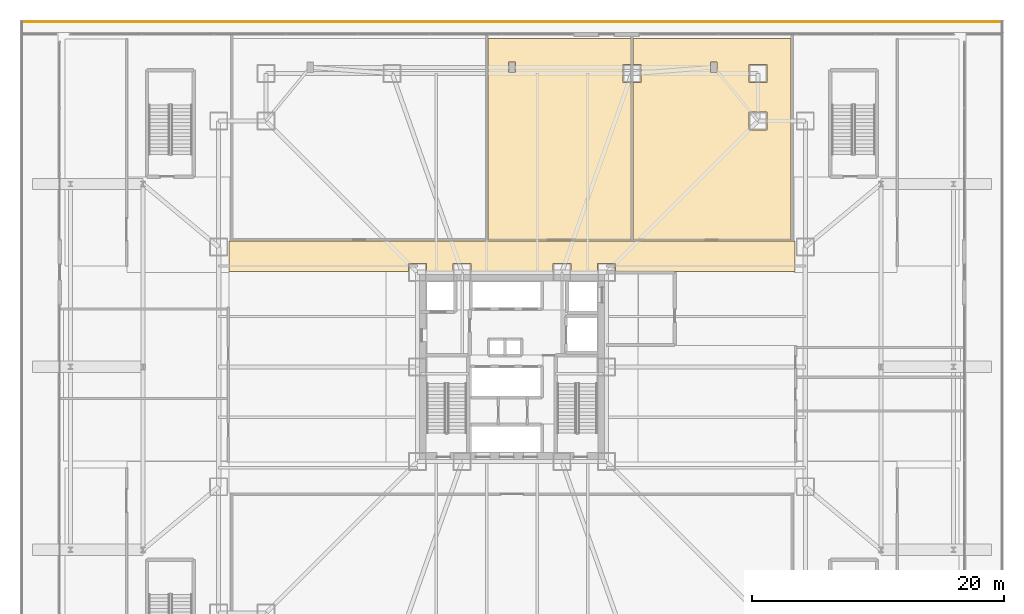
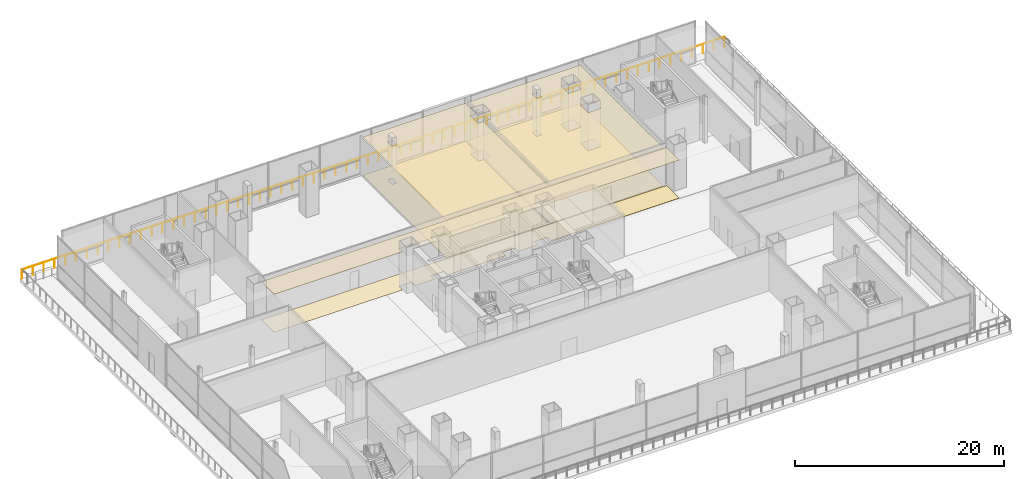
# One storey, part 32 of 35: 6 coverings, 1 railing.
"""IFC4 building model written with IfcOpenShell, lengths in metres."""

from ifc_helpers import new_model, si_unit, direction, frame, origin, origin_2d, place, context, subcontext, project, spatial, polyline, circle, outline, extrude, material, layer, layer_set, type_object, element, save


model = new_model("IFC4")

# Units and contexts
model_context = context("Model", 3, precision=1e-05, world=origin(), true_north=direction((0.0, 1.0)))
body_context = subcontext(model_context, "Body", "Model", "MODEL_VIEW")
ifc_project = project(units=[si_unit("LENGTHUNIT", "METRE"), si_unit("AREAUNIT", "SQUARE_METRE"), si_unit("VOLUMEUNIT", "CUBIC_METRE"), si_unit("PLANEANGLEUNIT", "RADIAN"), si_unit("MASSUNIT", "GRAM", prefix="KILO")], contexts=[model_context])

# Site, building, storey
site_placement = place(None, origin())
site = spatial("IfcSite", under=ifc_project, at=site_placement, CompositionType="ELEMENT")
building_placement = place(site_placement, origin())
building = spatial("IfcBuilding", under=site, at=building_placement, Name="Trevonay Congress Spire", CompositionType="ELEMENT")
storey_placement = place(building_placement, frame((0.0, 0.0, 10.800048828125)))
storey = spatial("IfcBuildingStorey", under=building, at=storey_placement, Name="L02", CompositionType="ELEMENT", Elevation=10.800048828125)

# Coverings
ifc_material_1 = material(Name="Acoustic Mineral Fibre Board", Category="gypsum")
ifc_layer_1 = layer(ifc_material_1, 0.02490234375, Name="Acoustic Mineral Fibre Board")
ifc_layer_set_1 = layer_set([ifc_layer_1], Name="Acoustic Mineral Fibre Board")
covering_type_1 = type_object("IfcCoveringType", Name="COV-CEIL-ACOUSTIC", PredefinedType="CEILING", material=ifc_layer_set_1)
covering_1_placement = place(storey_placement, frame((0.0, 0.0, 4.449951171875)))
element("IfcCovering", 1, at=covering_1_placement, inside=storey, type_object=covering_type_1, Name="L02 L02 Grand Concourse North acoustic suspended ceiling", PredefinedType="CEILING", context=body_context, shape_type="SweptSolid", body=[
    extrude(outline(polyline([(-22.419921875, 7.550048828125), (-22.419921875, 10.0), (22.419921875, 10.0), (22.419921875, 7.550048828125), (8.2099609375, 7.550048828125), (8.2099609375, 8.2099609375), (6.7900390625, 8.2099609375), (6.7900390625, 7.550048828125), (4.659912109375, 7.550048828125), (4.659912109375, 8.2099609375), (3.239990234375, 8.2099609375), (3.239990234375, 7.550048828125), (-3.239990234375, 7.550048828125), (-3.239990234375, 8.2099609375), (-4.659912109375, 8.2099609375), (-4.659912109375, 7.550048828125), (-6.7900390625, 7.550048828125), (-6.7900390625, 8.2099609375), (-8.2099609375, 8.2099609375), (-8.2099609375, 7.550048828125), (-22.419921875, 7.550048828125)])), origin(), (0.0, 0.0, 1.0), 0.02490234375),
])
covering_2_placement = place(storey_placement, frame((0.0, 0.0, 4.449951171875)))
element("IfcCovering", 2, at=covering_2_placement, inside=storey, type_object=covering_type_1, Name="L02 Exhibitor Business Lounge acoustic suspended ceiling", PredefinedType="CEILING", context=body_context, shape_type="SweptSolid", body=[
    extrude(outline(polyline([(9.419921875, 10.080078125), (-1.919921875, 10.080078125), (-1.919921875, 26.050048828125), (9.419921875, 26.050048828125), (9.419921875, 23.9599609375), (8.7900390625, 23.9599609375), (8.7900390625, 22.5400390625), (9.419921875, 22.5400390625), (9.419921875, 10.080078125)]), holes=[polyline([(-0.260009765625, 23.340087890625), (0.260009765625, 23.340087890625), (0.260009765625, 24.159912109375), (-0.260009765625, 24.159912109375), (-0.260009765625, 23.340087890625)])]), origin(), (0.0, 0.0, 1.0), 0.02490234375),
])
covering_3_placement = place(storey_placement, frame((0.0, 0.0, 4.449951171875)))
element("IfcCovering", 3, at=covering_3_placement, inside=storey, type_object=covering_type_1, Name="L02 Trade Press Office acoustic suspended ceiling", PredefinedType="CEILING", context=body_context, shape_type="SweptSolid", body=[
    extrude(outline(polyline([(9.580078125, 26.050048828125), (22.1201171875, 26.050048828125), (22.1201171875, 10.080078125), (9.580078125, 10.080078125), (9.580078125, 22.5400390625), (10.2099609375, 22.5400390625), (10.2099609375, 23.9599609375), (9.580078125, 23.9599609375), (9.580078125, 26.050048828125)]), holes=[polyline([(18.7900390625, 20.2099609375), (18.7900390625, 18.7900390625), (20.2099609375, 18.7900390625), (20.2099609375, 20.2099609375), (18.7900390625, 20.2099609375)]), polyline([(18.7900390625, 23.9599609375), (18.7900390625, 22.5400390625), (20.2099609375, 22.5400390625), (20.2099609375, 23.9599609375), (18.7900390625, 23.9599609375)]), polyline([(15.739990234375, 24.159912109375), (15.739990234375, 23.340087890625), (16.260009765625, 23.340087890625), (16.260009765625, 24.159912109375), (15.739990234375, 24.159912109375)])]), origin(), (0.0, 0.0, 1.0), 0.02490234375),
])
ifc_material_2 = material(Name="Polished Granite Floor Tile", Category="masonry")
ifc_layer_2 = layer(ifc_material_2, 0.02001953125, Name="Polished Granite Floor Tile")
ifc_layer_set_2 = layer_set([ifc_layer_2], Name="Polished Granite Floor Tile")
covering_type_2 = type_object("IfcCoveringType", Name="COV-FLOOR-STONE", PredefinedType="FLOORING", material=ifc_layer_set_2)
covering_4_placement = place(storey_placement, origin())
element("IfcCovering", 4, at=covering_4_placement, inside=storey, type_object=covering_type_2, Name="L02 L02 Grand Concourse North floor finish", PredefinedType="FLOORING", context=body_context, shape_type="SweptSolid", body=[
    extrude(outline(polyline([(-22.419921875, 7.550048828125), (-22.419921875, 10.0), (22.419921875, 10.0), (22.419921875, 7.550048828125), (8.2099609375, 7.550048828125), (8.2099609375, 8.2099609375), (6.7900390625, 8.2099609375), (6.7900390625, 7.550048828125), (4.659912109375, 7.550048828125), (4.659912109375, 8.2099609375), (3.239990234375, 8.2099609375), (3.239990234375, 7.550048828125), (-3.239990234375, 7.550048828125), (-3.239990234375, 8.2099609375), (-4.659912109375, 8.2099609375), (-4.659912109375, 7.550048828125), (-6.7900390625, 7.550048828125), (-6.7900390625, 8.2099609375), (-8.2099609375, 8.2099609375), (-8.2099609375, 7.550048828125), (-22.419921875, 7.550048828125)])), origin(), (0.0, 0.0, 1.0), 0.02001953125),
])
ifc_material_3 = material(Name="Engineered Oak Flooring", Category="wood")
ifc_layer_3 = layer(ifc_material_3, 0.01806640625, Name="Engineered Oak Flooring")
ifc_layer_set_3 = layer_set([ifc_layer_3], Name="Engineered Oak Flooring")
covering_type_3 = type_object("IfcCoveringType", Name="COV-FLOOR-TIMBER", PredefinedType="FLOORING", material=ifc_layer_set_3)
covering_5_placement = place(storey_placement, origin())
element("IfcCovering", 5, at=covering_5_placement, inside=storey, type_object=covering_type_3, Name="L02 Exhibitor Business Lounge floor finish", PredefinedType="FLOORING", context=body_context, shape_type="SweptSolid", body=[
    extrude(outline(polyline([(9.419921875, 10.080078125), (-1.919921875, 10.080078125), (-1.919921875, 26.050048828125), (9.419921875, 26.050048828125), (9.419921875, 23.9599609375), (8.7900390625, 23.9599609375), (8.7900390625, 22.5400390625), (9.419921875, 22.5400390625), (9.419921875, 10.080078125)]), holes=[polyline([(-0.260009765625, 23.340087890625), (0.260009765625, 23.340087890625), (0.260009765625, 24.159912109375), (-0.260009765625, 24.159912109375), (-0.260009765625, 23.340087890625)])]), origin(), (0.0, 0.0, 1.0), 0.01806640625),
])
covering_6_placement = place(storey_placement, origin())
element("IfcCovering", 6, at=covering_6_placement, inside=storey, type_object=covering_type_3, Name="L02 Trade Press Office floor finish", PredefinedType="FLOORING", context=body_context, shape_type="SweptSolid", body=[
    extrude(outline(polyline([(9.580078125, 26.050048828125), (22.1201171875, 26.050048828125), (22.1201171875, 10.080078125), (9.580078125, 10.080078125), (9.580078125, 22.5400390625), (10.2099609375, 22.5400390625), (10.2099609375, 23.9599609375), (9.580078125, 23.9599609375), (9.580078125, 26.050048828125)]), holes=[polyline([(18.7900390625, 20.2099609375), (18.7900390625, 18.7900390625), (20.2099609375, 18.7900390625), (20.2099609375, 20.2099609375), (18.7900390625, 20.2099609375)]), polyline([(18.7900390625, 23.9599609375), (18.7900390625, 22.5400390625), (20.2099609375, 22.5400390625), (20.2099609375, 23.9599609375), (18.7900390625, 23.9599609375)]), polyline([(15.739990234375, 24.159912109375), (15.739990234375, 23.340087890625), (16.260009765625, 23.340087890625), (16.260009765625, 24.159912109375), (15.739990234375, 24.159912109375)])]), origin(), (0.0, 0.0, 1.0), 0.01806640625),
])

# Railing
ifc_material_4 = material(Name="Pale Anodised Aluminium EN AW-6063-T6", Category="aluminium")
railing_type = type_object("IfcRailingType", Name="RAL-EXT-GUARD-115", PredefinedType="GUARDRAIL", material=ifc_material_4)
railing_placement = place(storey_placement, frame((-38.85009765625, 27.35009765625, 0.0)))
element("IfcRailing", 7, at=railing_placement, inside=storey, type_object=railing_type, Name="L02 perimeter safety guard GRD-L02-TER-N-2", PredefinedType="GUARDRAIL", context=body_context, shape_type="SweptSolid", body=[
    extrude(circle(Radius=0.02392578125, at=origin_2d()), frame((0.0, 0.0, 1.1259765625), z_axis=(1.0, 0.0, 0.0), x_axis=(0.0, 1.0, 0.0)), (0.0, 0.0, 1.0), 77.7001953125),
    extrude(circle(Radius=0.02099609375, at=origin_2d()), origin(), (0.0, 0.0, 1.0), 1.101806640625),
    extrude(circle(Radius=0.02099609375, at=origin_2d()), frame((1.1953125, 0.0, 0.0)), (0.0, 0.0, 1.0), 1.101806640625),
    extrude(circle(Radius=0.02099609375, at=origin_2d()), frame((2.390869140625, 0.0, 0.0)), (0.0, 0.0, 1.0), 1.101806640625),
    extrude(circle(Radius=0.02099609375, at=origin_2d()), frame((3.586181640625, 0.0, 0.0)), (0.0, 0.0, 1.0), 1.101806640625),
    extrude(circle(Radius=0.02099609375, at=origin_2d()), frame((4.781494140625, 0.0, 0.0)), (0.0, 0.0, 1.0), 1.101806640625),
    extrude(circle(Radius=0.02099609375, at=origin_2d()), frame((5.97705078125, 0.0, 0.0)), (0.0, 0.0, 1.0), 1.101806640625),
    extrude(circle(Radius=0.02099609375, at=origin_2d()), frame((7.17236328125, 0.0, 0.0)), (0.0, 0.0, 1.0), 1.101806640625),
    extrude(circle(Radius=0.02099609375, at=origin_2d()), frame((8.36767578125, 0.0, 0.0)), (0.0, 0.0, 1.0), 1.101806640625),
    extrude(circle(Radius=0.02099609375, at=origin_2d()), frame((9.56298828125, 0.0, 0.0)), (0.0, 0.0, 1.0), 1.101806640625),
    extrude(circle(Radius=0.02099609375, at=origin_2d()), frame((10.758544921875, 0.0, 0.0)), (0.0, 0.0, 1.0), 1.101806640625),
    extrude(circle(Radius=0.02099609375, at=origin_2d()), frame((11.953857421875, 0.0, 0.0)), (0.0, 0.0, 1.0), 1.101806640625),
    extrude(circle(Radius=0.02099609375, at=origin_2d()), frame((13.149169921875, 0.0, 0.0)), (0.0, 0.0, 1.0), 1.101806640625),
    extrude(circle(Radius=0.02099609375, at=origin_2d()), frame((14.3447265625, 0.0, 0.0)), (0.0, 0.0, 1.0), 1.101806640625),
    extrude(circle(Radius=0.02099609375, at=origin_2d()), frame((15.5400390625, 0.0, 0.0)), (0.0, 0.0, 1.0), 1.101806640625),
    extrude(circle(Radius=0.02099609375, at=origin_2d()), frame((16.7353515625, 0.0, 0.0)), (0.0, 0.0, 1.0), 1.101806640625),
    extrude(circle(Radius=0.02099609375, at=origin_2d()), frame((17.930908203125, 0.0, 0.0)), (0.0, 0.0, 1.0), 1.101806640625),
    extrude(circle(Radius=0.02099609375, at=origin_2d()), frame((19.126220703125, 0.0, 0.0)), (0.0, 0.0, 1.0), 1.101806640625),
    extrude(circle(Radius=0.02099609375, at=origin_2d()), frame((20.321533203125, 0.0, 0.0)), (0.0, 0.0, 1.0), 1.101806640625),
    extrude(circle(Radius=0.02099609375, at=origin_2d()), frame((21.51708984375, 0.0, 0.0)), (0.0, 0.0, 1.0), 1.101806640625),
    extrude(circle(Radius=0.02099609375, at=origin_2d()), frame((22.71240234375, 0.0, 0.0)), (0.0, 0.0, 1.0), 1.101806640625),
    extrude(circle(Radius=0.02099609375, at=origin_2d()), frame((23.90771484375, 0.0, 0.0)), (0.0, 0.0, 1.0), 1.101806640625),
    extrude(circle(Radius=0.02099609375, at=origin_2d()), frame((25.10302734375, 0.0, 0.0)), (0.0, 0.0, 1.0), 1.101806640625),
    extrude(circle(Radius=0.02099609375, at=origin_2d()), frame((26.298583984375, 0.0, 0.0)), (0.0, 0.0, 1.0), 1.101806640625),
    extrude(circle(Radius=0.02099609375, at=origin_2d()), frame((27.493896484375, 0.0, 0.0)), (0.0, 0.0, 1.0), 1.101806640625),
    extrude(circle(Radius=0.02099609375, at=origin_2d()), frame((28.689208984375, 0.0, 0.0)), (0.0, 0.0, 1.0), 1.101806640625),
    extrude(circle(Radius=0.02099609375, at=origin_2d()), frame((29.884765625, 0.0, 0.0)), (0.0, 0.0, 1.0), 1.101806640625),
    extrude(circle(Radius=0.02099609375, at=origin_2d()), frame((31.080078125, 0.0, 0.0)), (0.0, 0.0, 1.0), 1.101806640625),
    extrude(circle(Radius=0.02099609375, at=origin_2d()), frame((32.275390625, 0.0, 0.0)), (0.0, 0.0, 1.0), 1.101806640625),
    extrude(circle(Radius=0.02099609375, at=origin_2d()), frame((33.470947265625, 0.0, 0.0)), (0.0, 0.0, 1.0), 1.101806640625),
    extrude(circle(Radius=0.02099609375, at=origin_2d()), frame((34.666259765625, 0.0, 0.0)), (0.0, 0.0, 1.0), 1.101806640625),
    extrude(circle(Radius=0.02099609375, at=origin_2d()), frame((35.861572265625, 0.0, 0.0)), (0.0, 0.0, 1.0), 1.101806640625),
    extrude(circle(Radius=0.02099609375, at=origin_2d()), frame((37.05712890625, 0.0, 0.0)), (0.0, 0.0, 1.0), 1.101806640625),
    extrude(circle(Radius=0.02099609375, at=origin_2d()), frame((38.25244140625, 0.0, 0.0)), (0.0, 0.0, 1.0), 1.101806640625),
    extrude(circle(Radius=0.02099609375, at=origin_2d()), frame((39.44775390625, 0.0, 0.0)), (0.0, 0.0, 1.0), 1.101806640625),
    extrude(circle(Radius=0.02099609375, at=origin_2d()), frame((40.64306640625, 0.0, 0.0)), (0.0, 0.0, 1.0), 1.101806640625),
    extrude(circle(Radius=0.02099609375, at=origin_2d()), frame((41.838623046875, 0.0, 0.0)), (0.0, 0.0, 1.0), 1.101806640625),
    extrude(circle(Radius=0.02099609375, at=origin_2d()), frame((43.033935546875, 0.0, 0.0)), (0.0, 0.0, 1.0), 1.101806640625),
    extrude(circle(Radius=0.02099609375, at=origin_2d()), frame((44.229248046875, 0.0, 0.0)), (0.0, 0.0, 1.0), 1.101806640625),
    extrude(circle(Radius=0.02099609375, at=origin_2d()), frame((45.4248046875, 0.0, 0.0)), (0.0, 0.0, 1.0), 1.101806640625),
    extrude(circle(Radius=0.02099609375, at=origin_2d()), frame((46.6201171875, 0.0, 0.0)), (0.0, 0.0, 1.0), 1.101806640625),
    extrude(circle(Radius=0.02099609375, at=origin_2d()), frame((47.8154296875, 0.0, 0.0)), (0.0, 0.0, 1.0), 1.101806640625),
    extrude(circle(Radius=0.02099609375, at=origin_2d()), frame((49.010986328125, 0.0, 0.0)), (0.0, 0.0, 1.0), 1.101806640625),
    extrude(circle(Radius=0.02099609375, at=origin_2d()), frame((50.206298828125, 0.0, 0.0)), (0.0, 0.0, 1.0), 1.101806640625),
    extrude(circle(Radius=0.02099609375, at=origin_2d()), frame((51.401611328125, 0.0, 0.0)), (0.0, 0.0, 1.0), 1.101806640625),
    extrude(circle(Radius=0.02099609375, at=origin_2d()), frame((52.59716796875, 0.0, 0.0)), (0.0, 0.0, 1.0), 1.101806640625),
    extrude(circle(Radius=0.02099609375, at=origin_2d()), frame((53.79248046875, 0.0, 0.0)), (0.0, 0.0, 1.0), 1.101806640625),
    extrude(circle(Radius=0.02099609375, at=origin_2d()), frame((54.98779296875, 0.0, 0.0)), (0.0, 0.0, 1.0), 1.101806640625),
    extrude(circle(Radius=0.02099609375, at=origin_2d()), frame((56.18310546875, 0.0, 0.0)), (0.0, 0.0, 1.0), 1.101806640625),
    extrude(circle(Radius=0.02099609375, at=origin_2d()), frame((57.378662109375, 0.0, 0.0)), (0.0, 0.0, 1.0), 1.101806640625),
    extrude(circle(Radius=0.02099609375, at=origin_2d()), frame((58.573974609375, 0.0, 0.0)), (0.0, 0.0, 1.0), 1.101806640625),
    extrude(circle(Radius=0.02099609375, at=origin_2d()), frame((59.769287109375, 0.0, 0.0)), (0.0, 0.0, 1.0), 1.101806640625),
    extrude(circle(Radius=0.02099609375, at=origin_2d()), frame((60.96484375, 0.0, 0.0)), (0.0, 0.0, 1.0), 1.101806640625),
    extrude(circle(Radius=0.02099609375, at=origin_2d()), frame((62.16015625, 0.0, 0.0)), (0.0, 0.0, 1.0), 1.101806640625),
    extrude(circle(Radius=0.02099609375, at=origin_2d()), frame((63.35546875, 0.0, 0.0)), (0.0, 0.0, 1.0), 1.101806640625),
    extrude(circle(Radius=0.02099609375, at=origin_2d()), frame((64.551025390625, 0.0, 0.0)), (0.0, 0.0, 1.0), 1.101806640625),
    extrude(circle(Radius=0.02099609375, at=origin_2d()), frame((65.746337890625, 0.0, 0.0)), (0.0, 0.0, 1.0), 1.101806640625),
    extrude(circle(Radius=0.02099609375, at=origin_2d()), frame((66.941650390625, 0.0, 0.0)), (0.0, 0.0, 1.0), 1.101806640625),
    extrude(circle(Radius=0.02099609375, at=origin_2d()), frame((68.13720703125, 0.0, 0.0)), (0.0, 0.0, 1.0), 1.101806640625),
    extrude(circle(Radius=0.02099609375, at=origin_2d()), frame((69.33251953125, 0.0, 0.0)), (0.0, 0.0, 1.0), 1.101806640625),
    extrude(circle(Radius=0.02099609375, at=origin_2d()), frame((70.52783203125, 0.0, 0.0)), (0.0, 0.0, 1.0), 1.101806640625),
    extrude(circle(Radius=0.02099609375, at=origin_2d()), frame((71.72314453125, 0.0, 0.0)), (0.0, 0.0, 1.0), 1.101806640625),
    extrude(circle(Radius=0.02099609375, at=origin_2d()), frame((72.918701171875, 0.0, 0.0)), (0.0, 0.0, 1.0), 1.101806640625),
    extrude(circle(Radius=0.02099609375, at=origin_2d()), frame((74.114013671875, 0.0, 0.0)), (0.0, 0.0, 1.0), 1.101806640625),
    extrude(circle(Radius=0.02099609375, at=origin_2d()), frame((75.309326171875, 0.0, 0.0)), (0.0, 0.0, 1.0), 1.101806640625),
    extrude(circle(Radius=0.02099609375, at=origin_2d()), frame((76.5048828125, 0.0, 0.0)), (0.0, 0.0, 1.0), 1.101806640625),
    extrude(circle(Radius=0.02099609375, at=origin_2d()), frame((77.7001953125, 0.0, 0.0)), (0.0, 0.0, 1.0), 1.101806640625),
])

save(model, "model.ifc")
